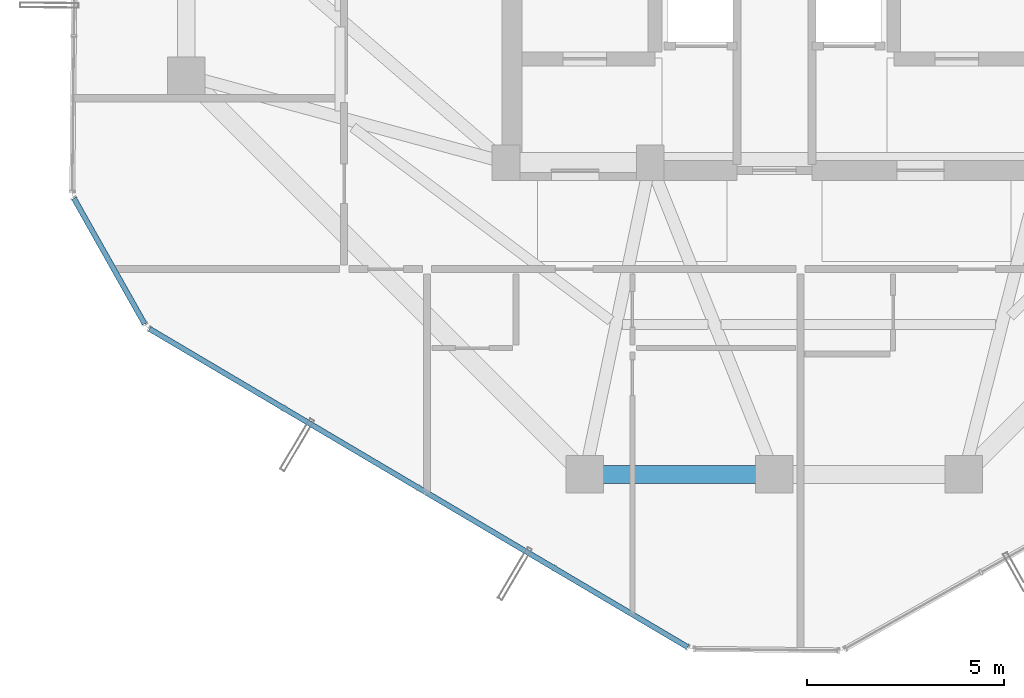
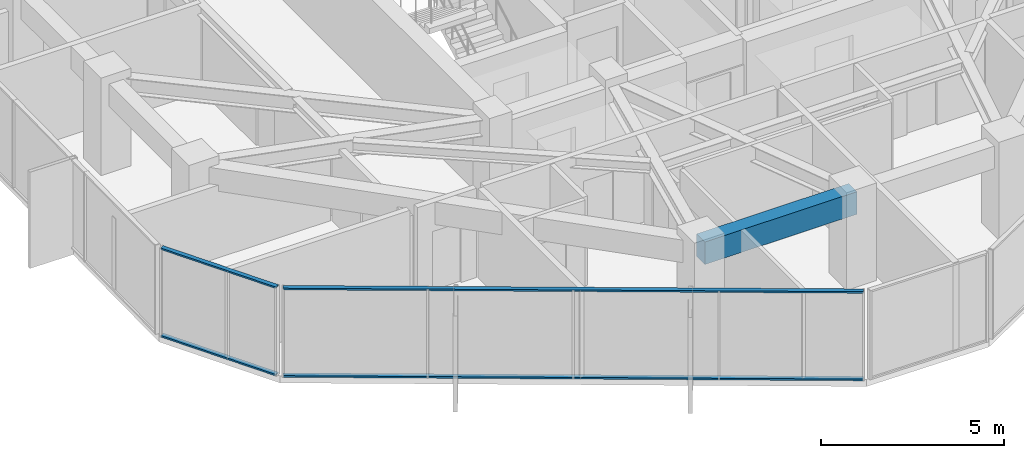
# One storey, part 3 of 30: 4 members, 1 beam, 2 elements without a shape of their own.
"""IFC4 building model written with IfcOpenShell, lengths in metres."""

from ifc_helpers import new_model, si_unit, direction, frame, origin, origin_2d, place, context, subcontext, project, spatial, rectangle, hollow_rectangle, extrude, source, transform, mapped, material, layer, layer_set, material_profile, profile_set, type_object, element, aggregate, save


model = new_model("IFC4")

# Units and contexts
model_context = context("Model", 3, precision=1e-05, world=origin(), true_north=direction((0.0, 1.0)))
body_context = subcontext(model_context, "Body", "Model", "MODEL_VIEW")
ifc_project = project(units=[si_unit("LENGTHUNIT", "METRE"), si_unit("AREAUNIT", "SQUARE_METRE"), si_unit("VOLUMEUNIT", "CUBIC_METRE"), si_unit("PLANEANGLEUNIT", "RADIAN"), si_unit("MASSUNIT", "GRAM", prefix="KILO")], contexts=[model_context])

# Site, building, storey
site_placement = place(None, origin())
site = spatial("IfcSite", under=ifc_project, at=site_placement, CompositionType="ELEMENT")
building_placement = place(site_placement, origin())
building = spatial("IfcBuilding", under=site, at=building_placement, Name="Veraguas Prism Commons", CompositionType="ELEMENT")
storey_placement = place(building_placement, frame((0.0, 0.0, 208.10009765625)))
storey = spatial("IfcBuildingStorey", under=building, at=storey_placement, Name="L59", CompositionType="ELEMENT", Elevation=208.10009765625)

# Beam
ifc_material_1 = material(Name="Concrete C50/60", Category="concrete")
ifc_material_profile_1 = material_profile(ifc_material_1, rectangle(XDim=0.449951171875, YDim=0.75, at=origin_2d()), Name="RC450X750")
ifc_profile_set_1 = profile_set([ifc_material_profile_1], Name="Concrete C50/60")
beam_type = type_object("IfcBeamType", Name="Perimeter Spandrel Upper RC 450x750", PredefinedType="SPANDREL", material=ifc_profile_set_1)
beam_placement = place(storey_placement, frame((19.199951171875, 9.10009765625, 2.594970703125), z_axis=(1.0, 0.0, 0.0), x_axis=(0.0, 1.0, 0.0)))
element("IfcBeam", 1, at=beam_placement, inside=storey, type_object=beam_type, Name="Perimeter Spandrel Beam L59-SP10", PredefinedType="SPANDREL", context=body_context, shape_type="SweptSolid", body=[
    extrude(rectangle(XDim=0.449951171875, YDim=0.75, at=origin_2d()), origin(), (0.0, 0.0, 1.0), 4.800048828125),
])

# Curtain wall, members
ifc_material_2 = material(Name="Anodised aluminium EN AW-6063 T6", Category="aluminium")
ifc_layer = layer(ifc_material_2, 0.14990234375, Name="Unitised Flush Curtain Wall Zone 3", Category="aluminium")
ifc_layer_set = layer_set([ifc_layer], Name="Anodised aluminium EN AW-6063 T6")
curtain_wall_type = type_object("IfcCurtainWallType", Name="Unitised Flush Curtain Wall Zone 3", PredefinedType="NOTDEFINED", material=ifc_layer_set)
curtain_wall_1_placement = place(storey_placement, origin())
curtain_wall_1 = element("IfcCurtainWall", 2, at=curtain_wall_1_placement, inside=storey, type_object=curtain_wall_type, Name="Tower Facade Curtain Wall L59-F4", PredefinedType="NOTDEFINED")
ifc_material_profile_2 = material_profile(ifc_material_2, hollow_rectangle(XDim=0.054931640625, YDim=0.135009765625, WallThickness=0.0029296875, at=origin_2d()), Name="AL55X135X3")
ifc_profile_set_2 = profile_set([ifc_material_profile_2], Name="Anodised aluminium EN AW-6063 T6")
member_type = type_object("IfcMemberType", Name="Curtain Wall Transom Standard AL 55x135x3", PredefinedType="USERDEFINED", material=ifc_profile_set_2)
shared_shape_1 = source(origin(), body_context, "Body", "SweptSolid", [
    extrude(hollow_rectangle(XDim=0.054931640625, YDim=0.135009765625, WallThickness=0.0029296875, at=origin_2d()), origin(), (0.0, 0.0, 1.0), 15.842529296875),
])
member_1_placement = place(storey_placement, frame((8.16650390625, 12.788330078125, 0.02734375), z_axis=(0.860745773839, -0.509035080144, 0.0), x_axis=(0.0, 0.0, 1.0)))
member_1 = element("IfcMember", 3, at=member_1_placement, type_object=member_type, Name="CW-Z3 Transom 1", ObjectType="TRANSOM", PredefinedType="USERDEFINED", context=body_context, shape_type="MappedRepresentation", body=[
    mapped(shared_shape_1, transform((0.0, 0.0, 0.0), scale=1.0)),
])
member_2_placement = place(storey_placement, frame((8.16650390625, 12.788330078125, 2.9423828125), z_axis=(0.860745773839, -0.509035080144, 0.0), x_axis=(0.0, 0.0, 1.0)))
member_2 = element("IfcMember", 4, at=member_2_placement, type_object=member_type, Name="CW-Z3 Transom 2", ObjectType="TRANSOM", PredefinedType="USERDEFINED", context=body_context, shape_type="MappedRepresentation", body=[
    mapped(shared_shape_1, transform((0.0, 0.0, 0.0), scale=1.0)),
])
aggregate(curtain_wall_1, [member_1, member_2])

curtain_wall_2_placement = place(storey_placement, origin())
curtain_wall_2 = element("IfcCurtainWall", 5, at=curtain_wall_2_placement, inside=storey, type_object=curtain_wall_type, Name="Chamfer Curtain Wall L59-C4", PredefinedType="NOTDEFINED")
shared_shape_2 = source(origin(), body_context, "Body", "SweptSolid", [
    extrude(hollow_rectangle(XDim=0.054931640625, YDim=0.135009765625, WallThickness=0.0029296875, at=origin_2d()), origin(), (0.0, 0.0, 1.0), 3.654052734375),
])
member_3_placement = place(storey_placement, frame((6.251220703125, 16.09619140625, 0.02734375), z_axis=(0.490870162864, -0.871232737682, 0.0), x_axis=(0.0, 0.0, 1.0)))
member_3 = element("IfcMember", 6, at=member_3_placement, type_object=member_type, Name="CW-Z3 Transom 1", ObjectType="TRANSOM", PredefinedType="USERDEFINED", context=body_context, shape_type="MappedRepresentation", body=[
    mapped(shared_shape_2, transform((0.0, 0.0, 0.0), scale=1.0)),
])
member_4_placement = place(storey_placement, frame((6.251220703125, 16.09619140625, 2.9423828125), z_axis=(0.490870162864, -0.871232737682, 0.0), x_axis=(0.0, 0.0, 1.0)))
member_4 = element("IfcMember", 7, at=member_4_placement, type_object=member_type, Name="CW-Z3 Transom 2", ObjectType="TRANSOM", PredefinedType="USERDEFINED", context=body_context, shape_type="MappedRepresentation", body=[
    mapped(shared_shape_2, transform((0.0, 0.0, 0.0), scale=1.0)),
])
aggregate(curtain_wall_2, [member_3, member_4])

save(model, "model.ifc")
